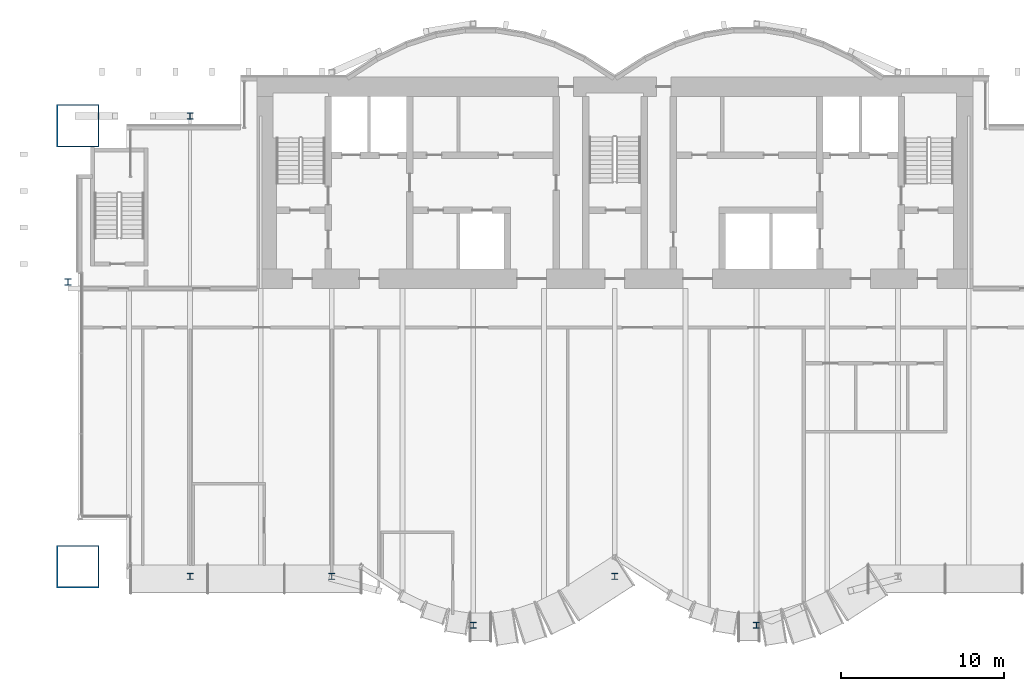
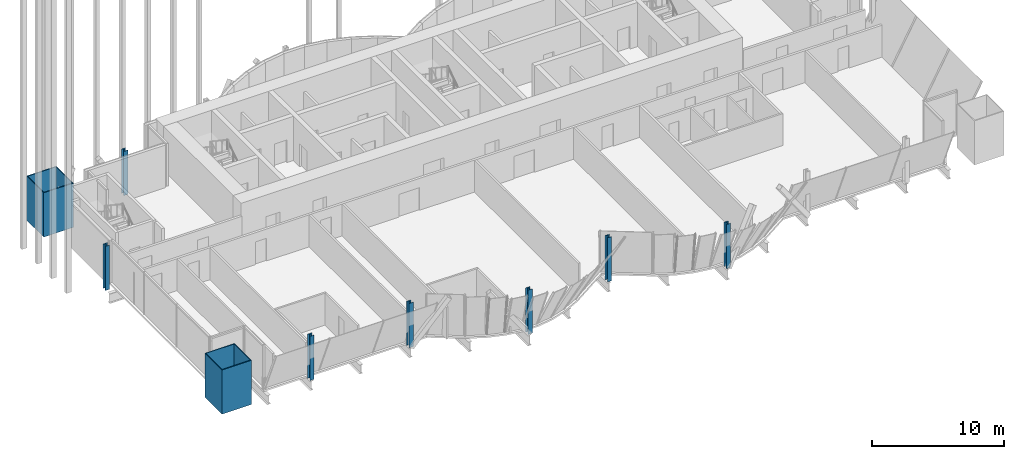
# One storey, part 1 of 29: 9 columns.
"""IFC4 building model written with IfcOpenShell, lengths in metres."""

from ifc_helpers import new_model, si_unit, direction, frame, origin, origin_2d, place, context, subcontext, project, spatial, hollow_rectangle, i_section, extrude, material, material_profile, profile_set, type_object, element, save


model = new_model("IFC4")

# Units and contexts
model_context = context("Model", 3, precision=1e-05, world=origin(), true_north=direction((0.0, 1.0)))
body_context = subcontext(model_context, "Body", "Model", "MODEL_VIEW")
ifc_project = project(units=[si_unit("LENGTHUNIT", "METRE"), si_unit("AREAUNIT", "SQUARE_METRE"), si_unit("VOLUMEUNIT", "CUBIC_METRE"), si_unit("PLANEANGLEUNIT", "RADIAN"), si_unit("MASSUNIT", "GRAM", prefix="KILO")], contexts=[model_context])

# Site, building, storey
site_placement = place(None, origin())
site = spatial("IfcSite", under=ifc_project, at=site_placement, CompositionType="ELEMENT")
building_placement = place(site_placement, origin())
building = spatial("IfcBuilding", under=site, at=building_placement, Name="Bicima Exchange Tower", CompositionType="ELEMENT")
storey_placement = place(building_placement, frame((0.0, 0.0, 190.89990234375)))
storey = spatial("IfcBuildingStorey", under=building, at=storey_placement, Name="L42", CompositionType="ELEMENT", Elevation=190.89990234375)

# Columns
ifc_material_1 = material(Name="Steel ASTM A572 Gr 50", Category="steel")
ifc_material_profile_1 = material_profile(ifc_material_1, hollow_rectangle(XDim=2.60009765625, YDim=2.60009765625, WallThickness=0.070068359375, at=origin_2d()))
ifc_profile_set_1 = profile_set([ifc_material_profile_1], Name="Steel ASTM A572 Gr 50")
column_type_1 = type_object("IfcColumnType", Name="Mega column BOX 2600x2600x70", PredefinedType="COLUMN", material=ifc_profile_set_1)
for number, where, z_axis, x_axis, name in (
    (1, (-33.0, -30.093994140625, 0.0), (0.0, 0.0, 1.0), (1.0, 0.0, 0.0), "Mega column mega-33.0f"),
    (2, (-33.0, -3.0, 0.0), (0.0, 0.0, 1.0), (1.0, 0.0, 0.0), "Mega column mega-33.0r"),
):
    element("IfcColumn", number, at=place(storey_placement, frame(where, z_axis=z_axis, x_axis=x_axis)), inside=storey, type_object=column_type_1, Name=name, PredefinedType="COLUMN", context=body_context, shape_type="SweptSolid", body=[
        extrude(hollow_rectangle(XDim=2.60009765625, YDim=2.60009765625, WallThickness=0.070068359375, at=origin_2d()), origin(), (0.0, 0.0, 1.0), 4.10009765625),
    ])
ifc_material_2 = material(Name="Steel ASTM A992 Gr 50", Category="steel")
ifc_material_profile_2 = material_profile(ifc_material_2, i_section(OverallWidth=0.373291015625, OverallDepth=0.373291015625, WebThickness=0.016357421875, FlangeThickness=0.026123046875, at=origin_2d()))
ifc_profile_set_2 = profile_set([ifc_material_profile_2], Name="Steel ASTM A992 Gr 50")
column_type_2 = type_object("IfcColumnType", Name="Perimeter column W14x132", PredefinedType="COLUMN", material=ifc_profile_set_2)
for number, where, z_axis, x_axis, name in (
    (3, (-26.10009765625, -30.694091796875, 0.0), (0.0, 0.0, 1.0), (1.0, 0.0, 0.0), "Perimeter column grav-26.1f"),
    (4, (-26.10009765625, -2.39990234375, 0.0), (0.0, 0.0, 1.0), (1.0, 0.0, 0.0), "Perimeter column grav-26.1r"),
    (5, (-17.39990234375, -30.694091796875, 0.0), (0.0, 0.0, 1.0), (1.0, 0.0, 0.0), "Perimeter column grav-17.4f"),
    (6, (-8.699951171875, -33.68505859375, 0.0), (0.0, 0.0, 1.0), (1.0, 0.0, 0.0), "Perimeter column grav-8.7f"),
    (7, (0.0, -30.694091796875, 0.0), (0.0, 0.0, 1.0), (1.0, 0.0, 0.0), "Perimeter column grav-0.0f"),
    (8, (8.699951171875, -33.68505859375, 0.0), (0.0, 0.0, 1.0), (1.0, 0.0, 0.0), "Perimeter column grav+8.7f"),
    (9, (-33.60009765625, -12.60009765625, 0.0), (0.0, 0.0, 1.0), (1.0, 0.0, 0.0), "End column end-33.6e"),
):
    element("IfcColumn", number, at=place(storey_placement, frame(where, z_axis=z_axis, x_axis=x_axis)), inside=storey, type_object=column_type_2, Name=name, PredefinedType="COLUMN", context=body_context, shape_type="SweptSolid", body=[
        extrude(i_section(OverallWidth=0.373291015625, OverallDepth=0.373291015625, WebThickness=0.016357421875, FlangeThickness=0.026123046875, at=origin_2d()), origin(), (0.0, 0.0, 1.0), 4.10009765625),
    ])

save(model, "model.ifc")
